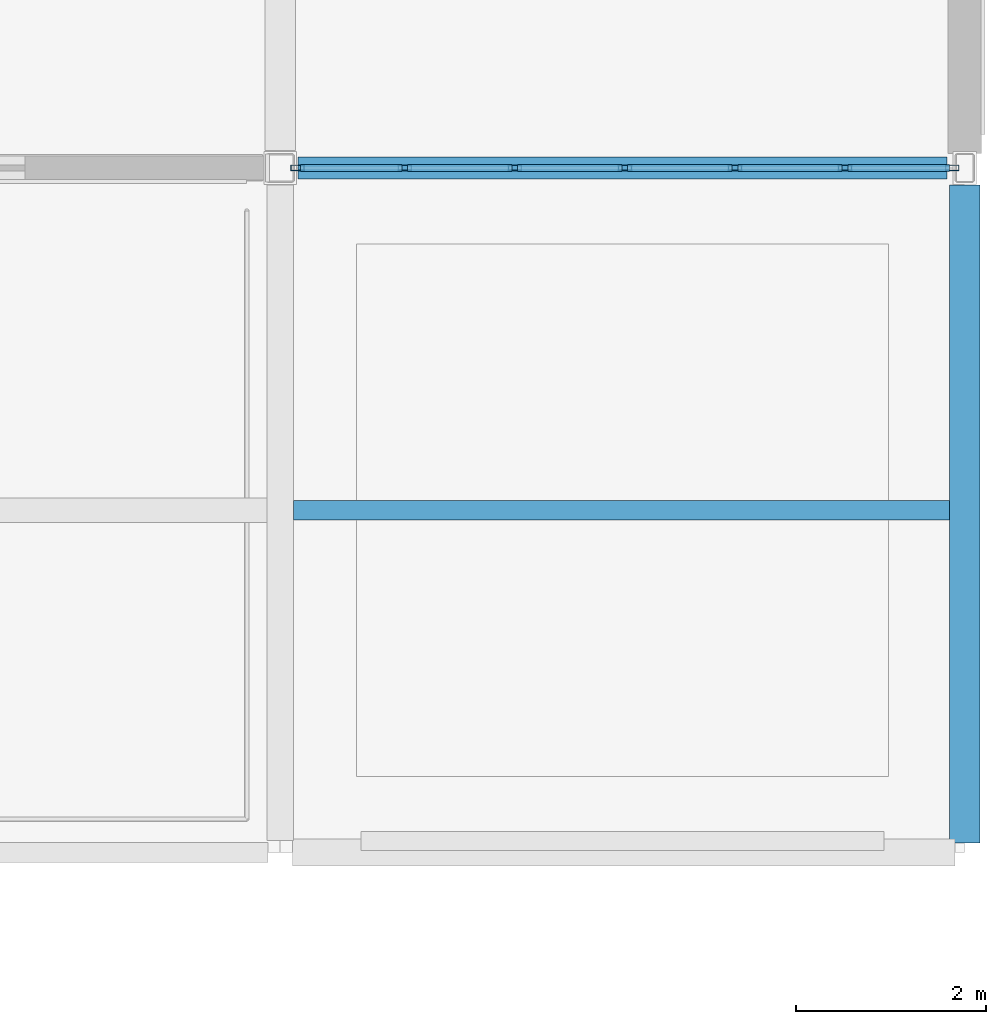
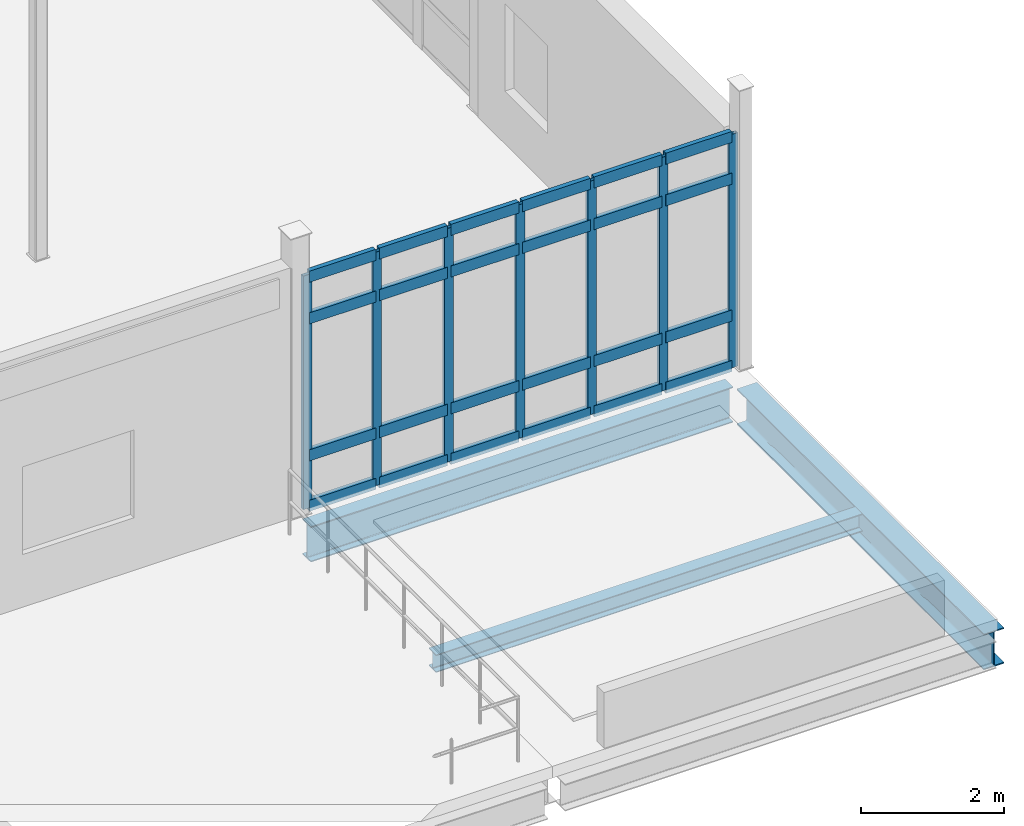
# One storey, part 79 of 153: 31 members, 3 beams, 1 element without a shape of its own.
"""IFC4 building model written with IfcOpenShell, lengths in metres."""

from ifc_helpers import new_model, si_unit, direction, frame, origin, origin_2d, place, context, subcontext, project, spatial, hollow_rectangle, i_section, extrude, material, layer, layer_set, material_profile, profile_set, type_object, element, aggregate, save


model = new_model("IFC4")

# Units and contexts
model_context = context("Model", 3, precision=1e-05, world=origin(), true_north=direction((0.0, 1.0)))
body_context = subcontext(model_context, "Body", "Model", "MODEL_VIEW")
ifc_project = project(units=[si_unit("LENGTHUNIT", "METRE"), si_unit("AREAUNIT", "SQUARE_METRE"), si_unit("VOLUMEUNIT", "CUBIC_METRE"), si_unit("PLANEANGLEUNIT", "RADIAN"), si_unit("MASSUNIT", "GRAM", prefix="KILO")], contexts=[model_context])

# Site, building, storey
site_placement = place(None, origin())
site = spatial("IfcSite", under=ifc_project, at=site_placement, CompositionType="ELEMENT")
building_placement = place(site_placement, origin())
building = spatial("IfcBuilding", under=site, at=building_placement, Name="Calvrana Isthmian Art Gallery", CompositionType="ELEMENT")
storey_placement = place(building_placement, frame((0.0, 0.0, 10.199951171875)))
storey = spatial("IfcBuildingStorey", under=building, at=storey_placement, Name="L02", CompositionType="ELEMENT", Elevation=10.199951171875)

# Beams
ifc_material_1 = material(Name="Steel ASTM A992 Gr 50", Category="steel")
ifc_material_profile_1 = material_profile(ifc_material_1, i_section(OverallWidth=0.324951171875, OverallDepth=0.612060546875, WebThickness=0.0126953125, FlangeThickness=0.01904296875, FilletRadius=0.02197265625, at=origin_2d()), Name="W24X104")
ifc_profile_set_1 = profile_set([ifc_material_profile_1], Name="Steel ASTM A992 Gr 50")
beam_type_1 = type_object("IfcBeamType", Name="BM-G-W24X104", PredefinedType="BEAM", material=ifc_profile_set_1)
beam_1_placement = place(storey_placement, frame((156.0, 7.301513671875, -0.571044921875), z_axis=(0.0, 1.0, 0.0), x_axis=(-1.0, 0.0, 0.0)))
element("IfcBeam", 1, at=beam_1_placement, inside=storey, type_object=beam_type_1, Name="Girder Y L02 21/B-C", PredefinedType="BEAM", context=body_context, shape_type="SweptSolid", body=[
    extrude(i_section(OverallWidth=0.324951171875, OverallDepth=0.612060546875, WebThickness=0.0126953125, FlangeThickness=0.01904296875, FilletRadius=0.02197265625, at=origin_2d()), origin(), (0.0, 0.0, 1.0), 6.92041015625),
])
ifc_material_profile_2 = material_profile(ifc_material_1, i_section(OverallWidth=0.22802734375, OverallDepth=0.60693359375, WebThickness=0.01123046875, FlangeThickness=0.017333984375, FilletRadius=0.02197265625, at=origin_2d()), Name="W24X76")
ifc_profile_set_2 = profile_set([ifc_material_profile_2], Name="Steel ASTM A992 Gr 50")
beam_type_2 = type_object("IfcBeamType", Name="BM-G-W24X76", PredefinedType="BEAM", material=ifc_profile_set_2)
beam_2_placement = place(storey_placement, frame((148.985595703125, 14.39990234375, -0.568359375), z_axis=(1.0, 0.0, 0.0), x_axis=(0.0, 1.0, 0.0)))
element("IfcBeam", 2, at=beam_2_placement, inside=storey, type_object=beam_type_2, Name="Girder X L02 20-21/C", PredefinedType="BEAM", context=body_context, shape_type="SweptSolid", body=[
    extrude(i_section(OverallWidth=0.22802734375, OverallDepth=0.60693359375, WebThickness=0.01123046875, FlangeThickness=0.017333984375, FilletRadius=0.02197265625, at=origin_2d()), origin(), (0.0, 0.0, 1.0), 6.830322265625),
])
ifc_material_profile_3 = material_profile(ifc_material_1, i_section(OverallWidth=0.202880859375, OverallDepth=0.302001953125, WebThickness=0.007568359375, FlangeThickness=0.01318359375, FilletRadius=0.01611328125, at=origin_2d()), Name="W12X40")
ifc_profile_set_3 = profile_set([ifc_material_profile_3], Name="Steel ASTM A992 Gr 50")
beam_type_3 = type_object("IfcBeamType", Name="BM-J-W12X40", PredefinedType="JOIST", material=ifc_profile_set_3)
beam_3_placement = place(storey_placement, frame((148.939453125, 10.800048828125, -0.416015625), z_axis=(1.0, 0.0, 0.0), x_axis=(0.0, 1.0, 0.0)))
element("IfcBeam", 3, at=beam_3_placement, inside=storey, type_object=beam_type_3, Name="Composite joist L02 bay 19-01", PredefinedType="JOIST", context=body_context, shape_type="SweptSolid", body=[
    extrude(i_section(OverallWidth=0.202880859375, OverallDepth=0.302001953125, WebThickness=0.007568359375, FlangeThickness=0.01318359375, FilletRadius=0.01611328125, at=origin_2d()), origin(), (0.0, 0.0, 1.0), 6.89794921875),
])

# Curtain wall, members
ifc_material_2 = material(Name="Anodized bronze aluminium 6063-T6", Category="aluminium")
ifc_layer = layer(ifc_material_2, 0.179931640625, Name="Anodized bronze aluminium 6063-T6")
ifc_layer_set = layer_set([ifc_layer], Name="Anodized bronze aluminium 6063-T6")
curtain_wall_type = type_object("IfcCurtainWallType", Name="CW-STICK-069X40", PredefinedType="NOTDEFINED", material=ifc_layer_set)
curtain_wall_placement = place(storey_placement, origin())
curtain_wall = element("IfcCurtainWall", 4, at=curtain_wall_placement, inside=storey, type_object=curtain_wall_type, Name="Curtain wall CW-144", PredefinedType="NOTDEFINED")
ifc_material_profile_4 = material_profile(ifc_material_2, hollow_rectangle(XDim=0.06005859375, YDim=0.139892578125, WallThickness=0.00390625, at=origin_2d()), Name="CWM60X140")
ifc_profile_set_4 = profile_set([ifc_material_profile_4], Name="Anodized bronze aluminium 6063-T6")
member_type_1 = type_object("IfcMemberType", Name="CWM-CWM60X140", PredefinedType="MULLION", material=ifc_profile_set_4)
member_1_placement = place(storey_placement, frame((155.868408203125, 14.39990234375, 0.0), z_axis=(0.0, 0.0, 1.0), x_axis=(0.0, -1.0, 0.0)))
member_1 = element("IfcMember", 5, at=member_1_placement, type_object=member_type_1, Name="CW-144 mullion 1", PredefinedType="MULLION", context=body_context, shape_type="SweptSolid", body=[
    extrude(hollow_rectangle(XDim=0.06005859375, YDim=0.139892578125, WallThickness=0.00390625, at=origin_2d()), origin(), (0.0, 0.0, 1.0), 3.990966796875),
])
member_2_placement = place(storey_placement, frame((154.74072265625, 14.39990234375, 0.0), z_axis=(0.0, 0.0, 1.0), x_axis=(0.0, -1.0, 0.0)))
member_2 = element("IfcMember", 6, at=member_2_placement, type_object=member_type_1, Name="CW-144 mullion 2", PredefinedType="MULLION", context=body_context, shape_type="SweptSolid", body=[
    extrude(hollow_rectangle(XDim=0.06005859375, YDim=0.139892578125, WallThickness=0.00390625, at=origin_2d()), origin(), (0.0, 0.0, 1.0), 3.990966796875),
])
member_3_placement = place(storey_placement, frame((153.5830078125, 14.39990234375, 0.0), z_axis=(0.0, 0.0, 1.0), x_axis=(0.0, -1.0, 0.0)))
member_3 = element("IfcMember", 7, at=member_3_placement, type_object=member_type_1, Name="CW-144 mullion 3", PredefinedType="MULLION", context=body_context, shape_type="SweptSolid", body=[
    extrude(hollow_rectangle(XDim=0.06005859375, YDim=0.139892578125, WallThickness=0.00390625, at=origin_2d()), origin(), (0.0, 0.0, 1.0), 3.990966796875),
])
member_4_placement = place(storey_placement, frame((152.42529296875, 14.39990234375, 0.0), z_axis=(0.0, 0.0, 1.0), x_axis=(0.0, -1.0, 0.0)))
member_4 = element("IfcMember", 8, at=member_4_placement, type_object=member_type_1, Name="CW-144 mullion 4", PredefinedType="MULLION", context=body_context, shape_type="SweptSolid", body=[
    extrude(hollow_rectangle(XDim=0.06005859375, YDim=0.139892578125, WallThickness=0.00390625, at=origin_2d()), origin(), (0.0, 0.0, 1.0), 3.990966796875),
])
member_5_placement = place(storey_placement, frame((151.267822265625, 14.39990234375, 0.0), z_axis=(0.0, 0.0, 1.0), x_axis=(0.0, -1.0, 0.0)))
member_5 = element("IfcMember", 9, at=member_5_placement, type_object=member_type_1, Name="CW-144 mullion 5", PredefinedType="MULLION", context=body_context, shape_type="SweptSolid", body=[
    extrude(hollow_rectangle(XDim=0.06005859375, YDim=0.139892578125, WallThickness=0.00390625, at=origin_2d()), origin(), (0.0, 0.0, 1.0), 3.990966796875),
])
member_6_placement = place(storey_placement, frame((150.110107421875, 14.39990234375, 0.0), z_axis=(0.0, 0.0, 1.0), x_axis=(0.0, -1.0, 0.0)))
member_6 = element("IfcMember", 10, at=member_6_placement, type_object=member_type_1, Name="CW-144 mullion 6", PredefinedType="MULLION", context=body_context, shape_type="SweptSolid", body=[
    extrude(hollow_rectangle(XDim=0.06005859375, YDim=0.139892578125, WallThickness=0.00390625, at=origin_2d()), origin(), (0.0, 0.0, 1.0), 3.990966796875),
])
member_7_placement = place(storey_placement, frame((148.982421875, 14.39990234375, 0.0), z_axis=(0.0, 0.0, 1.0), x_axis=(0.0, -1.0, 0.0)))
member_7 = element("IfcMember", 11, at=member_7_placement, type_object=member_type_1, Name="CW-144 mullion 7", PredefinedType="MULLION", context=body_context, shape_type="SweptSolid", body=[
    extrude(hollow_rectangle(XDim=0.06005859375, YDim=0.139892578125, WallThickness=0.00390625, at=origin_2d()), origin(), (0.0, 0.0, 1.0), 3.990966796875),
])
ifc_material_profile_5 = material_profile(ifc_material_2, hollow_rectangle(XDim=0.074951171875, YDim=0.18994140625, WallThickness=0.00439453125, at=origin_2d()), Name="CWT75X190")
ifc_profile_set_5 = profile_set([ifc_material_profile_5], Name="Anodized bronze aluminium 6063-T6")
member_type_2 = type_object("IfcMemberType", Name="CWT-CWT75X190", PredefinedType="USERDEFINED", material=ifc_profile_set_5)
member_8_placement = place(storey_placement, frame((155.83837890625, 14.39990234375, 0.03759765625), z_axis=(-1.0, 0.0, 0.0), x_axis=(0.0, -1.0, 0.0)))
member_8 = element("IfcMember", 12, at=member_8_placement, type_object=member_type_2, Name="CW-144 transom 1.1", ObjectType="TRANSOM", PredefinedType="USERDEFINED", context=body_context, shape_type="SweptSolid", body=[
    extrude(hollow_rectangle(XDim=0.074951171875, YDim=0.18994140625, WallThickness=0.00439453125, at=origin_2d()), origin(), (0.0, 0.0, 1.0), 1.067626953125),
])
member_9_placement = place(storey_placement, frame((155.83837890625, 14.39990234375, 0.900146484375), z_axis=(-1.0, 0.0, 0.0), x_axis=(0.0, -1.0, 0.0)))
member_9 = element("IfcMember", 13, at=member_9_placement, type_object=member_type_2, Name="CW-144 transom 1.2", ObjectType="TRANSOM", PredefinedType="USERDEFINED", context=body_context, shape_type="SweptSolid", body=[
    extrude(hollow_rectangle(XDim=0.074951171875, YDim=0.18994140625, WallThickness=0.00439453125, at=origin_2d()), origin(), (0.0, 0.0, 1.0), 1.067626953125),
])
member_10_placement = place(storey_placement, frame((155.83837890625, 14.39990234375, 3.240966796875), z_axis=(-1.0, 0.0, 0.0), x_axis=(0.0, -1.0, 0.0)))
member_10 = element("IfcMember", 14, at=member_10_placement, type_object=member_type_2, Name="CW-144 transom 1.3", ObjectType="TRANSOM", PredefinedType="USERDEFINED", context=body_context, shape_type="SweptSolid", body=[
    extrude(hollow_rectangle(XDim=0.074951171875, YDim=0.18994140625, WallThickness=0.00439453125, at=origin_2d()), origin(), (0.0, 0.0, 1.0), 1.067626953125),
])
member_11_placement = place(storey_placement, frame((155.83837890625, 14.39990234375, 3.95361328125), z_axis=(-1.0, 0.0, 0.0), x_axis=(0.0, -1.0, 0.0)))
member_11 = element("IfcMember", 15, at=member_11_placement, type_object=member_type_2, Name="CW-144 transom 1.4", ObjectType="TRANSOM", PredefinedType="USERDEFINED", context=body_context, shape_type="SweptSolid", body=[
    extrude(hollow_rectangle(XDim=0.074951171875, YDim=0.18994140625, WallThickness=0.00439453125, at=origin_2d()), origin(), (0.0, 0.0, 1.0), 1.067626953125),
])
member_12_placement = place(storey_placement, frame((154.710693359375, 14.39990234375, 0.03759765625), z_axis=(-1.0, 0.0, 0.0), x_axis=(0.0, -1.0, 0.0)))
member_12 = element("IfcMember", 16, at=member_12_placement, type_object=member_type_2, Name="CW-144 transom 2.1", ObjectType="TRANSOM", PredefinedType="USERDEFINED", context=body_context, shape_type="SweptSolid", body=[
    extrude(hollow_rectangle(XDim=0.074951171875, YDim=0.18994140625, WallThickness=0.00439453125, at=origin_2d()), origin(), (0.0, 0.0, 1.0), 1.09765625),
])
member_13_placement = place(storey_placement, frame((154.710693359375, 14.39990234375, 0.900146484375), z_axis=(-1.0, 0.0, 0.0), x_axis=(0.0, -1.0, 0.0)))
member_13 = element("IfcMember", 17, at=member_13_placement, type_object=member_type_2, Name="CW-144 transom 2.2", ObjectType="TRANSOM", PredefinedType="USERDEFINED", context=body_context, shape_type="SweptSolid", body=[
    extrude(hollow_rectangle(XDim=0.074951171875, YDim=0.18994140625, WallThickness=0.00439453125, at=origin_2d()), origin(), (0.0, 0.0, 1.0), 1.09765625),
])
member_14_placement = place(storey_placement, frame((154.710693359375, 14.39990234375, 3.240966796875), z_axis=(-1.0, 0.0, 0.0), x_axis=(0.0, -1.0, 0.0)))
member_14 = element("IfcMember", 18, at=member_14_placement, type_object=member_type_2, Name="CW-144 transom 2.3", ObjectType="TRANSOM", PredefinedType="USERDEFINED", context=body_context, shape_type="SweptSolid", body=[
    extrude(hollow_rectangle(XDim=0.074951171875, YDim=0.18994140625, WallThickness=0.00439453125, at=origin_2d()), origin(), (0.0, 0.0, 1.0), 1.09765625),
])
member_15_placement = place(storey_placement, frame((154.710693359375, 14.39990234375, 3.95361328125), z_axis=(-1.0, 0.0, 0.0), x_axis=(0.0, -1.0, 0.0)))
member_15 = element("IfcMember", 19, at=member_15_placement, type_object=member_type_2, Name="CW-144 transom 2.4", ObjectType="TRANSOM", PredefinedType="USERDEFINED", context=body_context, shape_type="SweptSolid", body=[
    extrude(hollow_rectangle(XDim=0.074951171875, YDim=0.18994140625, WallThickness=0.00439453125, at=origin_2d()), origin(), (0.0, 0.0, 1.0), 1.09765625),
])
member_16_placement = place(storey_placement, frame((153.552978515625, 14.39990234375, 0.03759765625), z_axis=(-1.0, 0.0, 0.0), x_axis=(0.0, -1.0, 0.0)))
member_16 = element("IfcMember", 20, at=member_16_placement, type_object=member_type_2, Name="CW-144 transom 3.1", ObjectType="TRANSOM", PredefinedType="USERDEFINED", context=body_context, shape_type="SweptSolid", body=[
    extrude(hollow_rectangle(XDim=0.074951171875, YDim=0.18994140625, WallThickness=0.00439453125, at=origin_2d()), origin(), (0.0, 0.0, 1.0), 1.09765625),
])
member_17_placement = place(storey_placement, frame((153.552978515625, 14.39990234375, 0.900146484375), z_axis=(-1.0, 0.0, 0.0), x_axis=(0.0, -1.0, 0.0)))
member_17 = element("IfcMember", 21, at=member_17_placement, type_object=member_type_2, Name="CW-144 transom 3.2", ObjectType="TRANSOM", PredefinedType="USERDEFINED", context=body_context, shape_type="SweptSolid", body=[
    extrude(hollow_rectangle(XDim=0.074951171875, YDim=0.18994140625, WallThickness=0.00439453125, at=origin_2d()), origin(), (0.0, 0.0, 1.0), 1.09765625),
])
member_18_placement = place(storey_placement, frame((153.552978515625, 14.39990234375, 3.240966796875), z_axis=(-1.0, 0.0, 0.0), x_axis=(0.0, -1.0, 0.0)))
member_18 = element("IfcMember", 22, at=member_18_placement, type_object=member_type_2, Name="CW-144 transom 3.3", ObjectType="TRANSOM", PredefinedType="USERDEFINED", context=body_context, shape_type="SweptSolid", body=[
    extrude(hollow_rectangle(XDim=0.074951171875, YDim=0.18994140625, WallThickness=0.00439453125, at=origin_2d()), origin(), (0.0, 0.0, 1.0), 1.09765625),
])
member_19_placement = place(storey_placement, frame((153.552978515625, 14.39990234375, 3.95361328125), z_axis=(-1.0, 0.0, 0.0), x_axis=(0.0, -1.0, 0.0)))
member_19 = element("IfcMember", 23, at=member_19_placement, type_object=member_type_2, Name="CW-144 transom 3.4", ObjectType="TRANSOM", PredefinedType="USERDEFINED", context=body_context, shape_type="SweptSolid", body=[
    extrude(hollow_rectangle(XDim=0.074951171875, YDim=0.18994140625, WallThickness=0.00439453125, at=origin_2d()), origin(), (0.0, 0.0, 1.0), 1.09765625),
])
member_20_placement = place(storey_placement, frame((152.3955078125, 14.39990234375, 0.03759765625), z_axis=(-1.0, 0.0, 0.0), x_axis=(0.0, -1.0, 0.0)))
member_20 = element("IfcMember", 24, at=member_20_placement, type_object=member_type_2, Name="CW-144 transom 4.1", ObjectType="TRANSOM", PredefinedType="USERDEFINED", context=body_context, shape_type="SweptSolid", body=[
    extrude(hollow_rectangle(XDim=0.074951171875, YDim=0.18994140625, WallThickness=0.00439453125, at=origin_2d()), origin(), (0.0, 0.0, 1.0), 1.09765625),
])
member_21_placement = place(storey_placement, frame((152.3955078125, 14.39990234375, 0.900146484375), z_axis=(-1.0, 0.0, 0.0), x_axis=(0.0, -1.0, 0.0)))
member_21 = element("IfcMember", 25, at=member_21_placement, type_object=member_type_2, Name="CW-144 transom 4.2", ObjectType="TRANSOM", PredefinedType="USERDEFINED", context=body_context, shape_type="SweptSolid", body=[
    extrude(hollow_rectangle(XDim=0.074951171875, YDim=0.18994140625, WallThickness=0.00439453125, at=origin_2d()), origin(), (0.0, 0.0, 1.0), 1.09765625),
])
member_22_placement = place(storey_placement, frame((152.3955078125, 14.39990234375, 3.240966796875), z_axis=(-1.0, 0.0, 0.0), x_axis=(0.0, -1.0, 0.0)))
member_22 = element("IfcMember", 26, at=member_22_placement, type_object=member_type_2, Name="CW-144 transom 4.3", ObjectType="TRANSOM", PredefinedType="USERDEFINED", context=body_context, shape_type="SweptSolid", body=[
    extrude(hollow_rectangle(XDim=0.074951171875, YDim=0.18994140625, WallThickness=0.00439453125, at=origin_2d()), origin(), (0.0, 0.0, 1.0), 1.09765625),
])
member_23_placement = place(storey_placement, frame((152.3955078125, 14.39990234375, 3.95361328125), z_axis=(-1.0, 0.0, 0.0), x_axis=(0.0, -1.0, 0.0)))
member_23 = element("IfcMember", 27, at=member_23_placement, type_object=member_type_2, Name="CW-144 transom 4.4", ObjectType="TRANSOM", PredefinedType="USERDEFINED", context=body_context, shape_type="SweptSolid", body=[
    extrude(hollow_rectangle(XDim=0.074951171875, YDim=0.18994140625, WallThickness=0.00439453125, at=origin_2d()), origin(), (0.0, 0.0, 1.0), 1.09765625),
])
member_24_placement = place(storey_placement, frame((151.23779296875, 14.39990234375, 0.03759765625), z_axis=(-1.0, 0.0, 0.0), x_axis=(0.0, -1.0, 0.0)))
member_24 = element("IfcMember", 28, at=member_24_placement, type_object=member_type_2, Name="CW-144 transom 5.1", ObjectType="TRANSOM", PredefinedType="USERDEFINED", context=body_context, shape_type="SweptSolid", body=[
    extrude(hollow_rectangle(XDim=0.074951171875, YDim=0.18994140625, WallThickness=0.00439453125, at=origin_2d()), origin(), (0.0, 0.0, 1.0), 1.09765625),
])
member_25_placement = place(storey_placement, frame((151.23779296875, 14.39990234375, 0.900146484375), z_axis=(-1.0, 0.0, 0.0), x_axis=(0.0, -1.0, 0.0)))
member_25 = element("IfcMember", 29, at=member_25_placement, type_object=member_type_2, Name="CW-144 transom 5.2", ObjectType="TRANSOM", PredefinedType="USERDEFINED", context=body_context, shape_type="SweptSolid", body=[
    extrude(hollow_rectangle(XDim=0.074951171875, YDim=0.18994140625, WallThickness=0.00439453125, at=origin_2d()), origin(), (0.0, 0.0, 1.0), 1.09765625),
])
member_26_placement = place(storey_placement, frame((151.23779296875, 14.39990234375, 3.240966796875), z_axis=(-1.0, 0.0, 0.0), x_axis=(0.0, -1.0, 0.0)))
member_26 = element("IfcMember", 30, at=member_26_placement, type_object=member_type_2, Name="CW-144 transom 5.3", ObjectType="TRANSOM", PredefinedType="USERDEFINED", context=body_context, shape_type="SweptSolid", body=[
    extrude(hollow_rectangle(XDim=0.074951171875, YDim=0.18994140625, WallThickness=0.00439453125, at=origin_2d()), origin(), (0.0, 0.0, 1.0), 1.09765625),
])
member_27_placement = place(storey_placement, frame((151.23779296875, 14.39990234375, 3.95361328125), z_axis=(-1.0, 0.0, 0.0), x_axis=(0.0, -1.0, 0.0)))
member_27 = element("IfcMember", 31, at=member_27_placement, type_object=member_type_2, Name="CW-144 transom 5.4", ObjectType="TRANSOM", PredefinedType="USERDEFINED", context=body_context, shape_type="SweptSolid", body=[
    extrude(hollow_rectangle(XDim=0.074951171875, YDim=0.18994140625, WallThickness=0.00439453125, at=origin_2d()), origin(), (0.0, 0.0, 1.0), 1.09765625),
])
member_28_placement = place(storey_placement, frame((150.080078125, 14.39990234375, 0.03759765625), z_axis=(-1.0, 0.0, 0.0), x_axis=(0.0, -1.0, 0.0)))
member_28 = element("IfcMember", 32, at=member_28_placement, type_object=member_type_2, Name="CW-144 transom 6.1", ObjectType="TRANSOM", PredefinedType="USERDEFINED", context=body_context, shape_type="SweptSolid", body=[
    extrude(hollow_rectangle(XDim=0.074951171875, YDim=0.18994140625, WallThickness=0.00439453125, at=origin_2d()), origin(), (0.0, 0.0, 1.0), 1.067626953125),
])
member_29_placement = place(storey_placement, frame((150.080078125, 14.39990234375, 0.900146484375), z_axis=(-1.0, 0.0, 0.0), x_axis=(0.0, -1.0, 0.0)))
member_29 = element("IfcMember", 33, at=member_29_placement, type_object=member_type_2, Name="CW-144 transom 6.2", ObjectType="TRANSOM", PredefinedType="USERDEFINED", context=body_context, shape_type="SweptSolid", body=[
    extrude(hollow_rectangle(XDim=0.074951171875, YDim=0.18994140625, WallThickness=0.00439453125, at=origin_2d()), origin(), (0.0, 0.0, 1.0), 1.067626953125),
])
member_30_placement = place(storey_placement, frame((150.080078125, 14.39990234375, 3.240966796875), z_axis=(-1.0, 0.0, 0.0), x_axis=(0.0, -1.0, 0.0)))
member_30 = element("IfcMember", 34, at=member_30_placement, type_object=member_type_2, Name="CW-144 transom 6.3", ObjectType="TRANSOM", PredefinedType="USERDEFINED", context=body_context, shape_type="SweptSolid", body=[
    extrude(hollow_rectangle(XDim=0.074951171875, YDim=0.18994140625, WallThickness=0.00439453125, at=origin_2d()), origin(), (0.0, 0.0, 1.0), 1.067626953125),
])
member_31_placement = place(storey_placement, frame((150.080078125, 14.39990234375, 3.95361328125), z_axis=(-1.0, 0.0, 0.0), x_axis=(0.0, -1.0, 0.0)))
member_31 = element("IfcMember", 35, at=member_31_placement, type_object=member_type_2, Name="CW-144 transom 6.4", ObjectType="TRANSOM", PredefinedType="USERDEFINED", context=body_context, shape_type="SweptSolid", body=[
    extrude(hollow_rectangle(XDim=0.074951171875, YDim=0.18994140625, WallThickness=0.00439453125, at=origin_2d()), origin(), (0.0, 0.0, 1.0), 1.067626953125),
])
aggregate(curtain_wall, [member_1, member_2, member_3, member_4, member_5, member_6, member_7, member_8, member_9, member_10, member_11, member_12, member_13, member_14, member_15, member_16, member_17, member_18, member_19, member_20, member_21, member_22, member_23, member_24, member_25, member_26, member_27, member_28, member_29, member_30, member_31])

save(model, "model.ifc")
